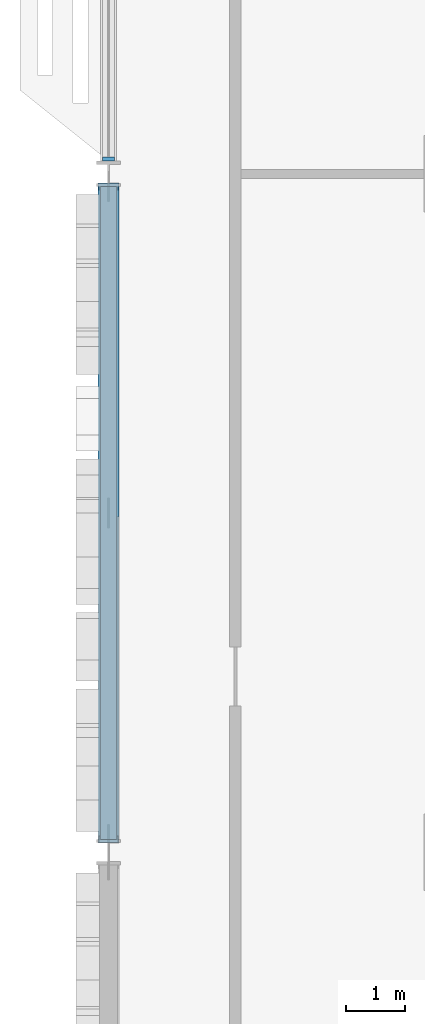
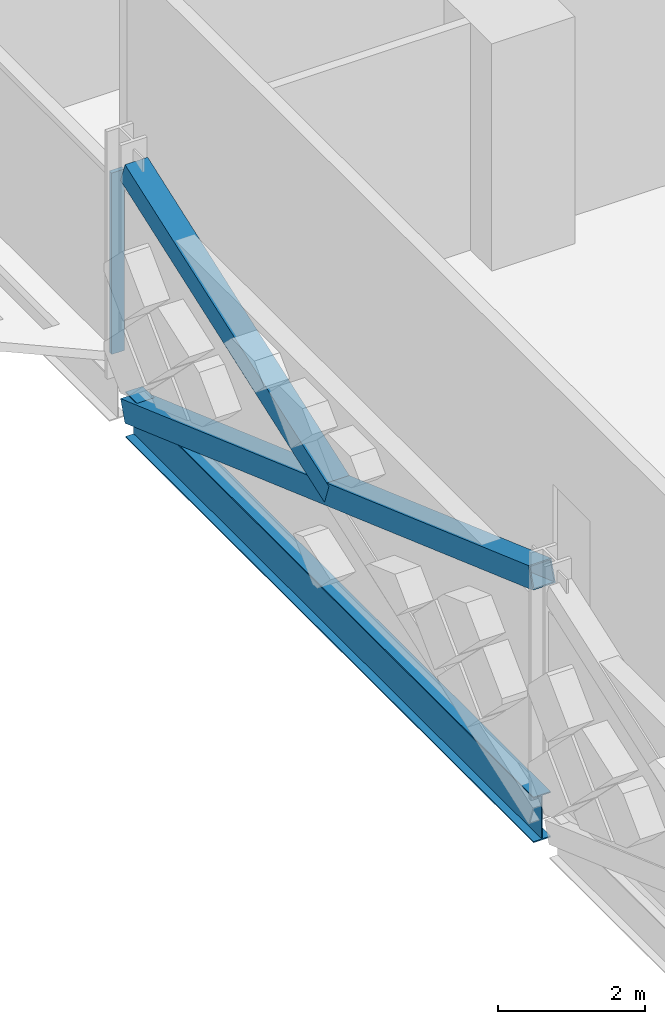
# One storey, part 4 of 29: 3 members, 1 beam, 1 element without a shape of its own.
"""IFC4 building model written with IfcOpenShell, lengths in metres."""

from ifc_helpers import new_model, si_unit, direction, frame, origin, origin_2d, place, context, subcontext, project, spatial, rectangle, hollow_rectangle, i_section, extrude, material, material_profile, profile_set, type_object, element, aggregate, save


model = new_model("IFC4")

# Units and contexts
model_context = context("Model", 3, precision=1e-05, world=origin(), true_north=direction((0.0, 1.0)))
body_context = subcontext(model_context, "Body", "Model", "MODEL_VIEW")
ifc_project = project(units=[si_unit("LENGTHUNIT", "METRE"), si_unit("AREAUNIT", "SQUARE_METRE"), si_unit("VOLUMEUNIT", "CUBIC_METRE"), si_unit("PLANEANGLEUNIT", "RADIAN"), si_unit("MASSUNIT", "GRAM", prefix="KILO")], contexts=[model_context])

# Site, building, storey
site_placement = place(None, origin())
site = spatial("IfcSite", under=ifc_project, at=site_placement, CompositionType="ELEMENT")
building_placement = place(site_placement, origin())
building = spatial("IfcBuilding", under=site, at=building_placement, Name="Mahtab Terrace Research Tower", CompositionType="ELEMENT")
storey_placement = place(building_placement, frame((0.0, 0.0, 126.10009765625)))
storey = spatial("IfcBuildingStorey", under=building, at=storey_placement, Name="L29", CompositionType="ELEMENT", Elevation=126.10009765625)

# Members
ifc_material_1 = material(Name="Steel ASTM A500 Gr C", Category="steel")
ifc_material_profile_1 = material_profile(ifc_material_1, hollow_rectangle(XDim=0.355712890625, YDim=0.355712890625, WallThickness=0.01904296875, at=origin_2d()), Name="HSS14X14X3/4")
ifc_profile_set_1 = profile_set([ifc_material_profile_1], Name="Steel ASTM A500 Gr C")
member_type_1 = type_object("IfcMemberType", Name="HSS 14x14x3/4 brace XB141434", PredefinedType="BRACE", material=ifc_profile_set_1)
member_1_placement = place(storey_placement, frame((-48.0, 11.282958984375, -0.64111328125), z_axis=(0.0, -0.941931707836, 0.335804493379), x_axis=(1.0, 0.0, 0.0)))
element("IfcMember", 1, at=member_1_placement, inside=storey, type_object=member_type_1, Name="Exoskeleton brace L29 11 a", PredefinedType="BRACE", context=body_context, shape_type="SweptSolid", body=[
    extrude(hollow_rectangle(XDim=0.355712890625, YDim=0.355712890625, WallThickness=0.01904296875, at=origin_2d()), origin(), (0.0, 0.0, 1.0), 11.748046875),
])
member_2_placement = place(storey_placement, frame((-48.0, 5.75, 1.33154296875), z_axis=(0.0, 0.941938280918, 0.335786055312), x_axis=(-1.0, 0.0, 0.0)))
element("IfcMember", 2, at=member_2_placement, inside=storey, type_object=member_type_1, Name="Exoskeleton brace L29 11 b2", PredefinedType="BRACE", context=body_context, shape_type="SweptSolid", body=[
    extrude(hollow_rectangle(XDim=0.355712890625, YDim=0.355712890625, WallThickness=0.01904296875, at=origin_2d()), origin(), (0.0, 0.0, 1.0), 5.8740234375),
])

# Curtain wall, member
ifc_material_2 = material(Name="Laboratory ribbon curtain wall")
curtain_wall_type = type_object("IfcCurtainWallType", Name="Laboratory ribbon curtain wall", PredefinedType="NOTDEFINED", material=ifc_material_2)
curtain_wall_placement = place(storey_placement, origin())
curtain_wall = element("IfcCurtainWall", 3, at=curtain_wall_placement, inside=storey, type_object=curtain_wall_type, Name="EN.L29.8.16", PredefinedType="NOTDEFINED")
ifc_material_3 = material(Name="Natural anodised aluminium", Category="aluminium")
ifc_material_profile_2 = material_profile(ifc_material_3, rectangle(XDim=0.199951171875, YDim=0.06494140625, at=origin_2d()), Name="MULLION 65x200")
ifc_profile_set_2 = profile_set([ifc_material_profile_2], Name="Natural anodised aluminium")
member_type_2 = type_object("IfcMemberType", Name="Laboratory ribbon curtain wall mullion", PredefinedType="MULLION", material=ifc_profile_set_2)
member_3_placement = place(storey_placement, frame((-48.0, 11.75048828125, 0.0), z_axis=(0.0, 0.0, 1.0), x_axis=(1.0, 0.0, 0.0)))
member_3 = element("IfcMember", 4, at=member_3_placement, type_object=member_type_2, Name="CWL-4 mullion 2", PredefinedType="MULLION", context=body_context, shape_type="SweptSolid", body=[
    extrude(rectangle(XDim=0.199951171875, YDim=0.06494140625, at=origin_2d()), origin(), (0.0, 0.0, 1.0), 3.0029296875),
])
aggregate(curtain_wall, [member_3])

# Beam
ifc_material_4 = material(Name="Steel ASTM A992 Gr 50", Category="steel")
ifc_material_profile_3 = material_profile(ifc_material_4, i_section(OverallWidth=0.2666015625, OverallDepth=0.7568359375, WebThickness=0.013916015625, FlangeThickness=0.019287109375, at=origin_2d()), Name="W30X108")
ifc_profile_set_3 = profile_set([ifc_material_profile_3], Name="Steel ASTM A992 Gr 50")
beam_type = type_object("IfcBeamType", Name="W30x108 beam BS30108", PredefinedType="BEAM", material=ifc_profile_set_3)
beam_placement = place(storey_placement, frame((-48.0, 11.282958984375, -0.718505859375), z_axis=(0.0, -1.0, 0.0), x_axis=(1.0, 0.0, 0.0)))
element("IfcBeam", 5, at=beam_placement, inside=storey, type_object=beam_type, Name="Spandrel beam L29 11", PredefinedType="BEAM", context=body_context, shape_type="SweptSolid", body=[
    extrude(i_section(OverallWidth=0.2666015625, OverallDepth=0.7568359375, WebThickness=0.013916015625, FlangeThickness=0.019287109375, at=origin_2d()), origin(), (0.0, 0.0, 1.0), 11.06591796875),
])

save(model, "model.ifc")
